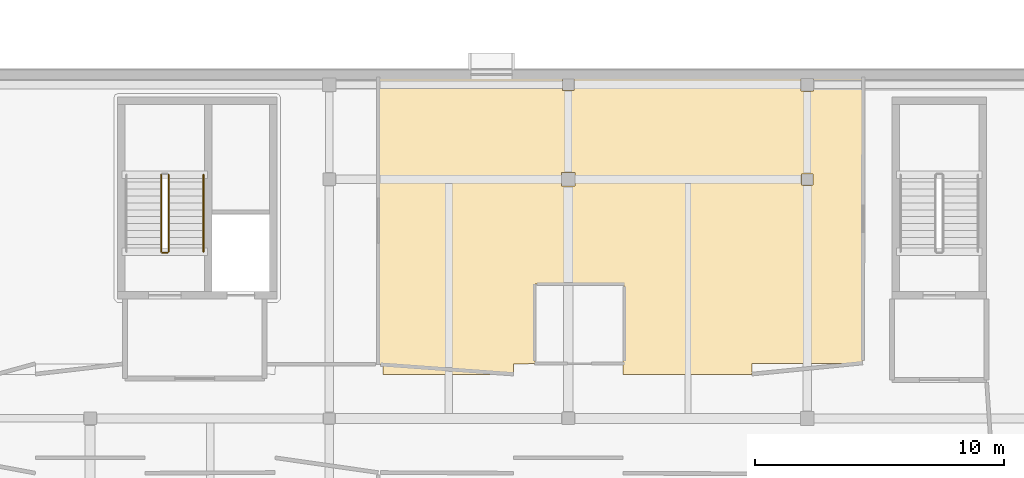
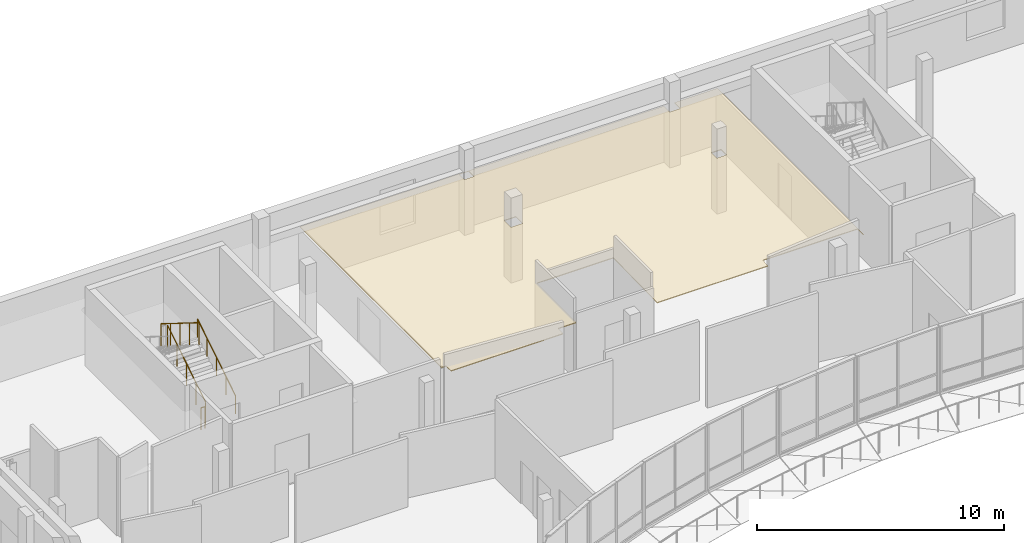
# One storey, part 66 of 73: 4 railings, 1 covering.
"""IFC4 building model written with IfcOpenShell, lengths in metres."""

from ifc_helpers import new_model, si_unit, direction, frame, origin, origin_2d, place, context, subcontext, project, spatial, polyline, circle, outline, extrude, material, layer, layer_set, type_object, element, save


model = new_model("IFC4")

# Units and contexts
model_context = context("Model", 3, precision=1e-05, world=origin(), true_north=direction((0.0, 1.0)))
body_context = subcontext(model_context, "Body", "Model", "MODEL_VIEW")
ifc_project = project(units=[si_unit("LENGTHUNIT", "METRE"), si_unit("AREAUNIT", "SQUARE_METRE"), si_unit("VOLUMEUNIT", "CUBIC_METRE"), si_unit("PLANEANGLEUNIT", "RADIAN"), si_unit("MASSUNIT", "GRAM", prefix="KILO")], contexts=[model_context])

# Site, building, storey
site_placement = place(None, origin())
site = spatial("IfcSite", under=ifc_project, at=site_placement, CompositionType="ELEMENT")
building_placement = place(site_placement, origin())
building = spatial("IfcBuilding", under=site, at=building_placement, Name="Mzevani Central Library", CompositionType="ELEMENT")
storey_placement = place(building_placement, frame((0.0, 0.0, 9.60009765625)))
storey = spatial("IfcBuildingStorey", under=building, at=storey_placement, Name="L02", CompositionType="ELEMENT", Elevation=9.60009765625)

# Railings
ifc_material_1 = material(Name="Brushed stainless steel rail", Category="steel")
railing_type_1 = type_object("IfcRailingType", Name="Interior Gallery and Stair Guard 1100", PredefinedType="BALUSTRADE", material=ifc_material_1)
railing_1_placement = place(storey_placement, frame((57.550048828125, 106.699951171875, 0.1748046875)))
element("IfcRailing", 1, at=railing_1_placement, inside=storey, type_object=railing_type_1, Name="L02 ST-05 stair guard 1", PredefinedType="BALUSTRADE", context=body_context, shape_type="SweptSolid", body=[
    extrude(circle(Radius=0.02392578125, at=origin_2d()), frame((0.0, 0.0, 1.076171875), z_axis=(0.0, 0.847998304005, 0.529998940003), x_axis=(-1.0, 0.0, 0.0)), (0.0, 0.0, 1.0), 3.632080078125),
    extrude(circle(Radius=0.02099609375, at=origin_2d()), origin(), (0.0, 0.0, 1.0), 1.052001953125),
    extrude(circle(Radius=0.02099609375, at=origin_2d()), frame((0.0, 0.77001953125, 0.481201171875)), (0.0, 0.0, 1.0), 1.052001953125),
    extrude(circle(Radius=0.02099609375, at=origin_2d()), frame((0.0, 1.5400390625, 0.96240234375)), (0.0, 0.0, 1.0), 1.052001953125),
    extrude(circle(Radius=0.02099609375, at=origin_2d()), frame((0.0, 2.31005859375, 1.44384765625)), (0.0, 0.0, 1.0), 1.052001953125),
    extrude(circle(Radius=0.02099609375, at=origin_2d()), frame((0.0, 3.080078125, 1.925048828125)), (0.0, 0.0, 1.0), 1.052001953125),
])
railing_2_placement = place(storey_placement, frame((57.25, 109.780029296875, 2.27490234375)))
element("IfcRailing", 2, at=railing_2_placement, inside=storey, type_object=railing_type_1, Name="L02 ST-05 stair guard 3", PredefinedType="BALUSTRADE", context=body_context, shape_type="SweptSolid", body=[
    extrude(circle(Radius=0.02392578125, at=origin_2d()), frame((0.0, 0.0, 1.076171875), z_axis=(0.0, -0.847998304005, 0.529998940003), x_axis=(1.0, 0.0, 0.0)), (0.0, 0.0, 1.0), 3.632080078125),
    extrude(circle(Radius=0.02099609375, at=origin_2d()), origin(), (0.0, 0.0, 1.0), 1.052001953125),
    extrude(circle(Radius=0.02099609375, at=origin_2d()), frame((0.0, -0.77001953125, 0.481201171875)), (0.0, 0.0, 1.0), 1.052001953125),
    extrude(circle(Radius=0.02099609375, at=origin_2d()), frame((0.0, -1.5400390625, 0.96240234375)), (0.0, 0.0, 1.0), 1.052001953125),
    extrude(circle(Radius=0.02099609375, at=origin_2d()), frame((0.0, -2.31005859375, 1.44384765625)), (0.0, 0.0, 1.0), 1.052001953125),
    extrude(circle(Radius=0.02099609375, at=origin_2d()), frame((0.0, -3.080078125, 1.925048828125)), (0.0, 0.0, 1.0), 1.052001953125),
])
railing_3_placement = place(storey_placement, frame((57.5, 106.64990234375, 0.0)))
element("IfcRailing", 3, at=railing_3_placement, inside=storey, type_object=railing_type_1, Name="L02 ST-05 stair guard 4", PredefinedType="BALUSTRADE", context=body_context, shape_type="SweptSolid", body=[
    extrude(circle(Radius=0.02392578125, at=origin_2d()), frame((0.0, 0.0, 1.076171875), z_axis=(-1.0, 0.0, 0.0), x_axis=(0.0, -1.0, 0.0)), (0.0, 0.0, 1.0), 0.199951171875),
    extrude(circle(Radius=0.02099609375, at=origin_2d()), origin(), (0.0, 0.0, 1.0), 1.052001953125),
    extrude(circle(Radius=0.02099609375, at=origin_2d()), frame((-0.199951171875, 0.0, 0.0)), (0.0, 0.0, 1.0), 1.052001953125),
])

# Covering
ifc_material_2 = material(Name="Mineral wool acoustic ceiling")
ifc_layer = layer(ifc_material_2, 0.0400390625, Name="Perforated Timber Acoustic Ceiling")
ifc_layer_set = layer_set([ifc_layer], Name="Mineral wool acoustic ceiling")
covering_type = type_object("IfcCoveringType", Name="Perforated Timber Acoustic Ceiling", PredefinedType="CEILING", material=ifc_layer_set)
covering_placement = place(storey_placement, frame((0.0, 0.0, 2.72998046875)))
element("IfcCovering", 4, at=covering_placement, inside=storey, type_object=covering_type, Name="L02 Graduate Research Seminar Room Acoustic Ceiling", PredefinedType="CEILING", context=body_context, shape_type="SweptSolid", body=[
    extrude(outline(polyline([(85.427001953125, 101.770263671875), (85.4150390625, 102.215087890625), (80.985107421875, 102.215087890625), (80.97509765625, 101.77001953125), (75.796142578125, 101.770751953125), (75.83984375, 105.389892578125), (72.260009765625, 105.389892578125), (72.259765625, 102.197998046875), (71.409912109375, 102.18994140625), (71.40380859375, 101.770751953125), (66.16943359375, 101.771728515625), (66.1650390625, 102.1650390625), (65.955078125, 102.175048828125), (65.956787109375, 113.62548828125), (82.949951171875, 113.6298828125), (82.949951171875, 113.14990234375), (83.449951171875, 113.14990234375), (83.449951171875, 113.6298828125), (85.45556640625, 113.62841796875), (85.427001953125, 101.770263671875)]), holes=[polyline([(73.875, 109.324951171875), (73.875, 109.875), (73.324951171875, 109.875), (73.324951171875, 109.324951171875), (73.875, 109.324951171875)]), polyline([(73.375, 113.175048828125), (73.824951171875, 113.175048828125), (73.824951171875, 113.625), (73.375, 113.625), (73.375, 113.175048828125)]), polyline([(82.97509765625, 109.824951171875), (82.97509765625, 109.375), (83.425048828125, 109.375), (83.425048828125, 109.824951171875), (82.97509765625, 109.824951171875)])]), origin(), (0.0, 0.0, 1.0), 0.0400390625),
])

# Railing
railing_type_2 = type_object("IfcRailingType", Name="Stair Wall Handrail 920", PredefinedType="HANDRAIL", material=ifc_material_1)
railing_4_placement = place(storey_placement, frame((58.949951171875, 106.699951171875, 0.1748046875)))
element("IfcRailing", 5, at=railing_4_placement, inside=storey, type_object=railing_type_2, Name="L02 ST-05 stair handrail 1", PredefinedType="HANDRAIL", context=body_context, shape_type="SweptSolid", body=[
    extrude(circle(Radius=0.02392578125, at=origin_2d()), frame((0.0, 0.0, 0.89599609375), z_axis=(0.0, 0.847998304005, 0.529998940003), x_axis=(-1.0, 0.0, 0.0)), (0.0, 0.0, 1.0), 3.632080078125),
    extrude(circle(Radius=0.02099609375, at=origin_2d()), origin(), (0.0, 0.0, 1.0), 0.871826171875),
    extrude(circle(Radius=0.02099609375, at=origin_2d()), frame((0.0, 0.77001953125, 0.481201171875)), (0.0, 0.0, 1.0), 0.871826171875),
    extrude(circle(Radius=0.02099609375, at=origin_2d()), frame((0.0, 1.5400390625, 0.96240234375)), (0.0, 0.0, 1.0), 0.871826171875),
    extrude(circle(Radius=0.02099609375, at=origin_2d()), frame((0.0, 2.31005859375, 1.44384765625)), (0.0, 0.0, 1.0), 0.871826171875),
    extrude(circle(Radius=0.02099609375, at=origin_2d()), frame((0.0, 3.080078125, 1.925048828125)), (0.0, 0.0, 1.0), 0.871826171875),
])

save(model, "model.ifc")
